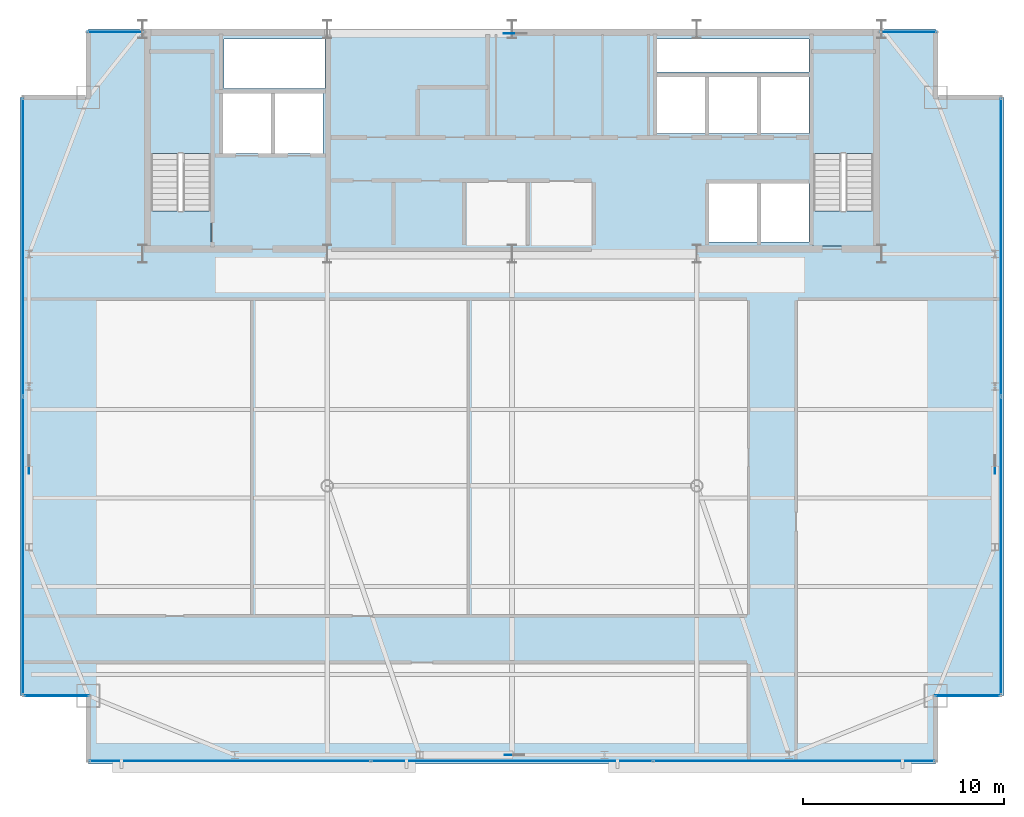
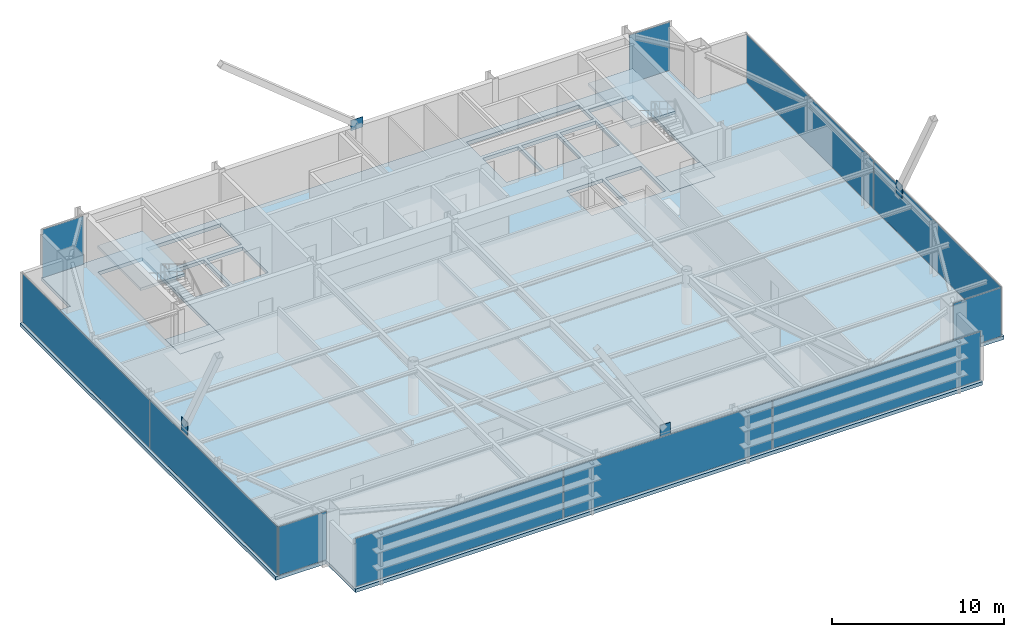
# One storey, part 21 of 27: 15 plates, 5 slabs, 9 elements without a shape of their own.
"""IFC4 building model written with IfcOpenShell, lengths in metres."""

from ifc_helpers import new_model, si_unit, direction, frame, origin, origin_2d, place, context, subcontext, project, spatial, polyline, rectangle, outline, extrude, source, transform, mapped, material, layer, layer_set, type_object, type_shapes, element, aggregate, save


model = new_model("IFC4")

# Units and contexts
model_context = context("Model", 3, precision=1e-05, world=origin(), true_north=direction((0.0, 1.0)))
body_context = subcontext(model_context, "Body", "Model", "MODEL_VIEW")
ifc_project = project(units=[si_unit("LENGTHUNIT", "METRE"), si_unit("AREAUNIT", "SQUARE_METRE"), si_unit("VOLUMEUNIT", "CUBIC_METRE"), si_unit("PLANEANGLEUNIT", "RADIAN"), si_unit("MASSUNIT", "GRAM", prefix="KILO")], contexts=[model_context])

# Site, building, storey
site_placement = place(None, origin())
site = spatial("IfcSite", under=ifc_project, at=site_placement, CompositionType="ELEMENT")
building_placement = place(site_placement, origin())
building = spatial("IfcBuilding", under=site, at=building_placement, Name="Varnel Quay Broadcast Tower", CompositionType="ELEMENT")
storey_placement = place(building_placement, frame((0.0, 0.0, 203.60009765625)))
storey = spatial("IfcBuildingStorey", under=building, at=storey_placement, Name="L50", CompositionType="ELEMENT", Elevation=203.60009765625)

# Slabs
ifc_material_1 = material(Name="Concrete CSA A23.3 C50/60", Category="concrete")
ifc_layer_1 = layer(ifc_material_1, 0.25, Name="Concrete CSA A23.3 C50/60")
ifc_layer_set_1 = layer_set([ifc_layer_1], Name="Concrete CSA A23.3 C50/60")
slab_type_1 = type_object("IfcSlabType", Name="Slab_Floor250", PredefinedType="FLOOR", material=ifc_layer_set_1)
slab_1_placement = place(storey_placement, frame((0.0, 0.0, -0.25)))
element("IfcSlab", 1, at=slab_1_placement, inside=storey, type_object=slab_type_1, Name="L50 Structural Slab", PredefinedType="FLOOR", context=body_context, shape_type="SweptSolid", body=[
    extrude(outline(polyline([(12.89990234375, 10.199951171875), (55.10009765625, 10.199951171875), (55.10009765625, 13.60009765625), (58.5, 13.60009765625), (58.5, 43.39990234375), (55.10009765625, 43.39990234375), (55.10009765625, 46.800048828125), (12.89990234375, 46.800048828125), (12.89990234375, 43.39990234375), (9.5, 43.39990234375), (9.5, 13.60009765625), (12.89990234375, 13.60009765625), (12.89990234375, 10.199951171875)]), holes=[polyline([(19.0, 36.0), (16.0, 36.0), (16.0, 45.60009765625), (19.0, 45.60009765625), (19.0, 36.0)]), polyline([(19.60009765625, 40.60009765625), (19.60009765625, 43.60009765625), (22.0, 43.60009765625), (22.0, 40.60009765625), (19.60009765625, 40.60009765625)]), polyline([(22.199951171875, 40.60009765625), (22.199951171875, 43.60009765625), (24.60009765625, 43.60009765625), (24.60009765625, 40.60009765625), (22.199951171875, 40.60009765625)]), polyline([(41.199951171875, 44.39990234375), (43.60009765625, 44.39990234375), (43.60009765625, 41.60009765625), (41.199951171875, 41.60009765625), (41.199951171875, 44.39990234375)]), polyline([(43.800048828125, 44.39990234375), (46.199951171875, 44.39990234375), (46.199951171875, 41.60009765625), (43.800048828125, 41.60009765625), (43.800048828125, 44.39990234375)]), polyline([(19.64990234375, 43.85009765625), (19.64990234375, 46.300048828125), (24.679931640625, 46.300048828125), (24.679931640625, 43.85009765625), (19.64990234375, 43.85009765625)]), polyline([(43.800048828125, 39.10009765625), (46.199951171875, 39.10009765625), (46.199951171875, 36.199951171875), (43.800048828125, 36.199951171875), (43.800048828125, 39.10009765625)]), polyline([(46.39990234375, 39.10009765625), (48.800048828125, 39.10009765625), (48.800048828125, 36.199951171875), (46.39990234375, 36.199951171875), (46.39990234375, 39.10009765625)]), polyline([(52.0, 36.0), (49.0, 36.0), (49.0, 45.60009765625), (52.0, 45.60009765625), (52.0, 36.0)]), polyline([(46.39990234375, 44.39990234375), (48.800048828125, 44.39990234375), (48.800048828125, 41.60009765625), (46.39990234375, 41.60009765625), (46.39990234375, 44.39990234375)]), polyline([(41.199951171875, 46.300048828125), (48.800048828125, 46.300048828125), (48.800048828125, 44.64990234375), (41.199951171875, 44.64990234375), (41.199951171875, 46.300048828125)])]), origin(), (0.0, 0.0, 1.0), 0.25),
])
ifc_layer_2 = layer(ifc_material_1, 0.25, Name="Concrete CSA A23.3 C50/60")
ifc_layer_set_2 = layer_set([ifc_layer_2], Name="Concrete CSA A23.3 C50/60")
slab_type_2 = type_object("IfcSlabType", Name="Slab_StairFloorLanding250", PredefinedType="FLOOR", material=ifc_layer_set_2)
slab_2_placement = place(storey_placement, frame((0.0, 0.0, -0.25)))
element("IfcSlab", 2, at=slab_2_placement, inside=storey, type_object=slab_type_2, Name="L50 ST-01 Structural Floor Landing Slab", PredefinedType="FLOOR", context=body_context, shape_type="SweptSolid", body=[
    extrude(outline(polyline([(19.0, 36.0), (19.0, 37.75), (16.0, 37.75), (16.0, 36.0), (19.0, 36.0)])), origin(), (0.0, 0.0, 1.0), 0.25),
])
slab_3_placement = place(storey_placement, frame((0.0, 0.0, -0.25)))
element("IfcSlab", 3, at=slab_3_placement, inside=storey, type_object=slab_type_2, Name="L50 ST-02 Structural Floor Landing Slab", PredefinedType="FLOOR", context=body_context, shape_type="SweptSolid", body=[
    extrude(outline(polyline([(52.0, 36.0), (52.0, 37.75), (49.0, 37.75), (49.0, 36.0), (52.0, 36.0)])), origin(), (0.0, 0.0, 1.0), 0.25),
])

# Stair, slab
ifc_material_2 = material(Name="Precast Structural Concrete C40/50", Category="concrete")
stair_type_1 = type_object("IfcStairType", Name="Stair_ST-01", PredefinedType="HALF_TURN_STAIR", material=ifc_material_2)
stair_1_placement = place(storey_placement, origin())
stair_1 = element("IfcStair", 4, at=stair_1_placement, inside=storey, type_object=stair_type_1, Name="L50 West Core Exit Stair 1", PredefinedType="HALF_TURN_STAIR")
ifc_layer_3 = layer(ifc_material_2, 0.199951171875, Name="Precast Structural Concrete C40/50")
ifc_layer_set_3 = layer_set([ifc_layer_3], Name="Precast Structural Concrete C40/50")
slab_type_3 = type_object("IfcSlabType", Name="Slab_StairLanding200", PredefinedType="LANDING", material=ifc_layer_set_3)
slab_4_placement = place(storey_placement, frame((0.0, 0.0, 1.699951171875)))
slab_4 = element("IfcSlab", 5, at=slab_4_placement, type_object=slab_type_3, Name="ST-01 landing 1", PredefinedType="LANDING", context=body_context, shape_type="SweptSolid", body=[
    extrude(outline(polyline([(19.0, 40.60009765625), (19.0, 45.60009765625), (16.0, 45.60009765625), (16.0, 40.60009765625), (19.0, 40.60009765625)])), origin(), (0.0, 0.0, 1.0), 0.199951171875),
])
aggregate(stair_1, [slab_4])

stair_type_2 = type_object("IfcStairType", Name="Stair_ST-02", PredefinedType="HALF_TURN_STAIR", material=ifc_material_2)
stair_2_placement = place(storey_placement, origin())
stair_2 = element("IfcStair", 6, at=stair_2_placement, inside=storey, type_object=stair_type_2, Name="L50 East Core Exit Stair 2", PredefinedType="HALF_TURN_STAIR")
slab_5_placement = place(storey_placement, frame((0.0, 0.0, 1.699951171875)))
slab_5 = element("IfcSlab", 7, at=slab_5_placement, type_object=slab_type_3, Name="ST-02 landing 1", PredefinedType="LANDING", context=body_context, shape_type="SweptSolid", body=[
    extrude(outline(polyline([(52.0, 40.60009765625), (52.0, 45.60009765625), (49.0, 45.60009765625), (49.0, 40.60009765625), (52.0, 40.60009765625)])), origin(), (0.0, 0.0, 1.0), 0.199951171875),
])
aggregate(stair_2, [slab_5])

# Plates
ifc_material_3 = material(Name="Structural Steel CSA G40.21 350WT", Category="steel")
ifc_layer_4 = layer(ifc_material_3, 0.0400390625, Name="Structural Steel CSA G40.21 350WT")
ifc_layer_set_4 = layer_set([ifc_layer_4], Name="Structural Steel CSA G40.21 350WT")
plate_type_1 = type_object("IfcPlateType", Name="Plate_MegaGusset", PredefinedType="USERDEFINED", material=ifc_layer_set_4)
shared_shape_1 = source(origin(), body_context, "Body", "SweptSolid", [
    extrude(rectangle(XDim=0.705078125, YDim=0.0400390625, at=origin_2d()), origin(), (0.0, 0.0, 1.0), 0.868896484375),
])
plate_1_placement = place(storey_placement, frame((34.0, 10.64990234375, 3.240234375), z_axis=(0.0, 0.0, 1.0), x_axis=(1.0, 0.0, 0.0)))
element("IfcPlate", 8, at=plate_1_placement, inside=storey, type_object=plate_type_1, Name="Zone 4 Mega-Brace S-C1T1 Central X-Crossing Gusset Plate", ObjectType="GUSSET_PLATE", PredefinedType="USERDEFINED", context=body_context, shape_type="MappedRepresentation", body=[
    mapped(shared_shape_1, transform((0.0, 0.0, 0.0), x_axis=(1.0, 0.0, 0.0), y_axis=(0.0, 1.0, 0.0), z_axis=(0.0, 0.0, 1.0), scale=1.0)),
])
shared_shape_2 = source(origin(), body_context, "Body", "SweptSolid", [
    extrude(rectangle(XDim=0.801025390625, YDim=0.0400390625, at=origin_2d()), origin(), (0.0, 0.0, 1.0), 0.73291015625),
])
plate_2_placement = place(storey_placement, frame((34.0, 46.580078125, 3.308349609375), z_axis=(0.0, 0.0, 1.0), x_axis=(1.0, 0.0, 0.0)))
element("IfcPlate", 9, at=plate_2_placement, inside=storey, type_object=plate_type_1, Name="Zone 4 Mega-Brace N-CT1 Central X-Crossing Gusset Plate", ObjectType="GUSSET_PLATE", PredefinedType="USERDEFINED", context=body_context, shape_type="MappedRepresentation", body=[
    mapped(shared_shape_2, transform((0.0, 0.0, 0.0), x_axis=(1.0, 0.0, 0.0), y_axis=(0.0, 1.0, 0.0), z_axis=(0.0, 0.0, 1.0), scale=1.0)),
])
shared_shape_3 = source(origin(), body_context, "Body", "SweptSolid", [
    extrude(rectangle(XDim=0.694091796875, YDim=0.0400390625, at=origin_2d()), origin(), (0.0, 0.0, 1.0), 0.9130859375),
])
type_shapes(plate_type_1, [shared_shape_1, shared_shape_2, shared_shape_3])
for number, where, z_axis, x_axis, name in (
    (10, (9.949951171875, 25.0, 3.21826171875), (0.0, 0.0, 1.0), (0.0, 1.0, 0.0), "Zone 4 Mega-Brace W-FT1 Central X-Crossing Gusset Plate"),
    (11, (58.050048828125, 25.0, 3.21826171875), (0.0, 0.0, 1.0), (0.0, 1.0, 0.0), "Zone 4 Mega-Brace E-FT1 Central X-Crossing Gusset Plate"),
):
    element("IfcPlate", number, at=place(storey_placement, frame(where, z_axis=z_axis, x_axis=x_axis)), inside=storey, type_object=plate_type_1, Name=name, ObjectType="GUSSET_PLATE", PredefinedType="USERDEFINED", context=body_context, shape_type="MappedRepresentation", body=[
        mapped(shared_shape_3, transform((0.0, 0.0, 0.0), x_axis=(1.0, 0.0, 0.0), y_axis=(0.0, 1.0, 0.0), z_axis=(0.0, 0.0, 1.0), scale=1.0)),
    ])

# Curtain wall, plate
ifc_material_4 = material(Name="Anodised Bronze Aluminium 6063-T6", Category="aluminium")
ifc_layer_5 = layer(ifc_material_4, 0.18994140625, Name="Anodised Bronze Aluminium 6063-T6")
ifc_layer_set_5 = layer_set([ifc_layer_5], Name="Anodised Bronze Aluminium 6063-T6")
curtain_wall_type_1 = type_object("IfcCurtainWallType", Name="CW_UpperTower", PredefinedType="NOTDEFINED", material=ifc_layer_set_5)
curtain_wall_1_placement = place(storey_placement, origin())
curtain_wall_1 = element("IfcCurtainWall", 12, at=curtain_wall_1_placement, inside=storey, type_object=curtain_wall_type_1, Name="L50 West Unitised Curtain Wall", PredefinedType="NOTDEFINED")
ifc_material_5 = material(Name="Insulated Bronze Spandrel Glass", Category="glass")
ifc_layer_6 = layer(ifc_material_5, 0.030029296875, Name="Insulated Bronze Spandrel Glass")
ifc_layer_set_6 = layer_set([ifc_layer_6], Name="Insulated Bronze Spandrel Glass")
plate_type_2 = type_object("IfcPlateType", Name="PanelSp_CWS-03", PredefinedType="CURTAIN_PANEL", material=ifc_layer_set_6)
shared_shape_4 = source(origin(), body_context, "Body", "SweptSolid", [
    extrude(rectangle(XDim=14.802490234375, YDim=0.030029296875, at=origin_2d()), origin(), (0.0, 0.0, 1.0), 3.429931640625),
])
plate_3_placement = place(storey_placement, frame((9.64990234375, 21.066162109375, 0.06005859375), z_axis=(0.0, 0.0, 1.0), x_axis=(0.0, 1.0, 0.0)))
plate_3 = element("IfcPlate", 13, at=plate_3_placement, type_object=plate_type_2, Name="CWS-03 panel 1.1", PredefinedType="CURTAIN_PANEL", context=body_context, shape_type="MappedRepresentation", body=[
    mapped(shared_shape_4, transform((0.0, 0.0, 0.0), x_axis=(1.0, 0.0, 0.0), y_axis=(0.0, 1.0, 0.0), z_axis=(0.0, 0.0, 1.0), scale=1.0)),
])

curtain_wall_2_placement = place(storey_placement, origin())
curtain_wall_2 = element("IfcCurtainWall", 14, at=curtain_wall_2_placement, inside=storey, type_object=curtain_wall_type_1, Name="L50 East Unitised Curtain Wall", PredefinedType="NOTDEFINED")
plate_4_placement = place(storey_placement, frame((58.35009765625, 21.066162109375, 0.06005859375), z_axis=(0.0, 0.0, 1.0), x_axis=(0.0, 1.0, 0.0)))
plate_4 = element("IfcPlate", 15, at=plate_4_placement, type_object=plate_type_2, Name="CWS-03 panel 1.1", PredefinedType="CURTAIN_PANEL", context=body_context, shape_type="MappedRepresentation", body=[
    mapped(shared_shape_4, transform((0.0, 0.0, 0.0), x_axis=(1.0, 0.0, 0.0), y_axis=(0.0, 1.0, 0.0), z_axis=(0.0, 0.0, 1.0), scale=1.0)),
])

ifc_layer_7 = layer(ifc_material_4, 0.18994140625, Name="Anodised Bronze Aluminium 6063-T6")
ifc_layer_set_7 = layer_set([ifc_layer_7], Name="Anodised Bronze Aluminium 6063-T6")
curtain_wall_type_2 = type_object("IfcCurtainWallType", Name="CW_NotchCorner", PredefinedType="NOTDEFINED", material=ifc_layer_set_7)
curtain_wall_3_placement = place(storey_placement, origin())
curtain_wall_3 = element("IfcCurtainWall", 16, at=curtain_wall_3_placement, inside=storey, type_object=curtain_wall_type_2, Name="L50 SW Notch Curtain Wall", PredefinedType="NOTDEFINED")
ifc_material_6 = material(Name="Triple-Glazed Bronze Low-E Architectural Glass", Category="glass")
ifc_layer_8 = layer(ifc_material_6, 0.028076171875, Name="Triple-Glazed Bronze Low-E Architectural Glass")
ifc_layer_set_8 = layer_set([ifc_layer_8], Name="Triple-Glazed Bronze Low-E Architectural Glass")
plate_type_3 = type_object("IfcPlateType", Name="Panel_CWS-04", PredefinedType="CURTAIN_PANEL", material=ifc_layer_set_8)
shared_shape_5 = source(origin(), body_context, "Body", "SweptSolid", [
    extrude(rectangle(XDim=3.2099609375, YDim=0.028076171875, at=origin_2d()), origin(), (0.0, 0.0, 1.0), 3.43994140625),
])
type_shapes(plate_type_3, [shared_shape_5])
plate_5_placement = place(storey_placement, frame((11.31494140625, 13.60009765625, 0.054931640625), z_axis=(0.0, 0.0, 1.0), x_axis=(1.0, 0.0, 0.0)))
plate_5 = element("IfcPlate", 17, at=plate_5_placement, type_object=plate_type_3, Name="CWS-04 panel 1.1", PredefinedType="CURTAIN_PANEL", context=body_context, shape_type="MappedRepresentation", body=[
    mapped(shared_shape_5, transform((0.0, 0.0, 0.0), x_axis=(1.0, 0.0, 0.0), y_axis=(0.0, 1.0, 0.0), z_axis=(0.0, 0.0, 1.0), scale=1.0)),
])
aggregate(curtain_wall_3, [plate_5])

curtain_wall_4_placement = place(storey_placement, origin())
curtain_wall_4 = element("IfcCurtainWall", 18, at=curtain_wall_4_placement, inside=storey, type_object=curtain_wall_type_2, Name="L50 SE Notch Curtain Wall", PredefinedType="NOTDEFINED")
plate_6_placement = place(storey_placement, frame((56.68505859375, 13.60009765625, 0.054931640625), z_axis=(0.0, 0.0, 1.0), x_axis=(1.0, 0.0, 0.0)))
plate_6 = element("IfcPlate", 19, at=plate_6_placement, type_object=plate_type_3, Name="CWS-04 panel 1.1", PredefinedType="CURTAIN_PANEL", context=body_context, shape_type="MappedRepresentation", body=[
    mapped(shared_shape_5, transform((0.0, 0.0, 0.0), x_axis=(1.0, 0.0, 0.0), y_axis=(0.0, 1.0, 0.0), z_axis=(0.0, 0.0, 1.0), scale=1.0)),
])
aggregate(curtain_wall_4, [plate_6])

curtain_wall_5_placement = place(storey_placement, origin())
curtain_wall_5 = element("IfcCurtainWall", 20, at=curtain_wall_5_placement, inside=storey, type_object=curtain_wall_type_1, Name="L50 NW Wing Curtain Wall", PredefinedType="NOTDEFINED")
ifc_layer_9 = layer(ifc_material_6, 0.030029296875, Name="Triple-Glazed Bronze Low-E Architectural Glass")
ifc_layer_set_9 = layer_set([ifc_layer_9], Name="Triple-Glazed Bronze Low-E Architectural Glass")
plate_type_4 = type_object("IfcPlateType", Name="Panel_CWS-03", PredefinedType="CURTAIN_PANEL", material=ifc_layer_set_9)
shared_shape_6 = source(origin(), body_context, "Body", "SweptSolid", [
    extrude(rectangle(XDim=2.75, YDim=0.030029296875, at=origin_2d()), origin(), (0.0, 0.0, 1.0), 3.429931640625),
])
plate_7_placement = place(storey_placement, frame((14.260009765625, 46.64990234375, 0.06005859375), z_axis=(0.0, 0.0, 1.0), x_axis=(1.0, 0.0, 0.0)))
plate_7 = element("IfcPlate", 21, at=plate_7_placement, type_object=plate_type_4, Name="CWS-03 panel 1.1", PredefinedType="CURTAIN_PANEL", context=body_context, shape_type="MappedRepresentation", body=[
    mapped(shared_shape_6, transform((0.0, 0.0, 0.0), x_axis=(1.0, 0.0, 0.0), y_axis=(0.0, 1.0, 0.0), z_axis=(0.0, 0.0, 1.0), scale=1.0)),
])
aggregate(curtain_wall_5, [plate_7])

curtain_wall_6_placement = place(storey_placement, origin())
curtain_wall_6 = element("IfcCurtainWall", 22, at=curtain_wall_6_placement, inside=storey, type_object=curtain_wall_type_1, Name="L50 NE Wing Curtain Wall", PredefinedType="NOTDEFINED")
plate_8_placement = place(storey_placement, frame((53.739990234375, 46.64990234375, 0.06005859375), z_axis=(0.0, 0.0, 1.0), x_axis=(1.0, 0.0, 0.0)))
plate_8 = element("IfcPlate", 23, at=plate_8_placement, type_object=plate_type_4, Name="CWS-03 panel 1.1", PredefinedType="CURTAIN_PANEL", context=body_context, shape_type="MappedRepresentation", body=[
    mapped(shared_shape_6, transform((0.0, 0.0, 0.0), x_axis=(1.0, 0.0, 0.0), y_axis=(0.0, 1.0, 0.0), z_axis=(0.0, 0.0, 1.0), scale=1.0)),
])
aggregate(curtain_wall_6, [plate_8])

# Curtain wall, plates
curtain_wall_7_placement = place(storey_placement, origin())
curtain_wall_7 = element("IfcCurtainWall", 24, at=curtain_wall_7_placement, inside=storey, type_object=curtain_wall_type_1, Name="L50 South Unitised Curtain Wall 1", PredefinedType="NOTDEFINED")
shared_shape_7 = source(origin(), body_context, "Body", "SweptSolid", [
    extrude(rectangle(XDim=13.96923828125, YDim=0.030029296875, at=origin_2d()), origin(), (0.0, 0.0, 1.0), 3.429931640625),
])
plate_9_placement = place(storey_placement, frame((19.949462890625, 10.35009765625, 0.06005859375), z_axis=(0.0, 0.0, 1.0), x_axis=(1.0, 0.0, 0.0)))
plate_9 = element("IfcPlate", 25, at=plate_9_placement, type_object=plate_type_4, Name="CWS-03 panel 1.1", PredefinedType="CURTAIN_PANEL", context=body_context, shape_type="MappedRepresentation", body=[
    mapped(shared_shape_7, transform((0.0, 0.0, 0.0), x_axis=(1.0, 0.0, 0.0), y_axis=(0.0, 1.0, 0.0), z_axis=(0.0, 0.0, 1.0), scale=1.0)),
])
plate_10_placement = place(storey_placement, frame((48.050537109375, 10.35009765625, 0.06005859375), z_axis=(0.0, 0.0, 1.0), x_axis=(1.0, 0.0, 0.0)))
plate_10 = element("IfcPlate", 26, at=plate_10_placement, type_object=plate_type_4, Name="CWS-03 panel 3.1", PredefinedType="CURTAIN_PANEL", context=body_context, shape_type="MappedRepresentation", body=[
    mapped(shared_shape_7, transform((0.0, 0.0, 0.0), x_axis=(1.0, 0.0, 0.0), y_axis=(0.0, 1.0, 0.0), z_axis=(0.0, 0.0, 1.0), scale=1.0)),
])
shared_shape_8 = source(origin(), body_context, "Body", "SweptSolid", [
    extrude(rectangle(XDim=14.001708984375, YDim=0.030029296875, at=origin_2d()), origin(), (0.0, 0.0, 1.0), 3.429931640625),
])
type_shapes(plate_type_2, [shared_shape_4, shared_shape_8])
plate_11_placement = place(storey_placement, frame((34.0, 10.35009765625, 0.06005859375), z_axis=(0.0, 0.0, 1.0), x_axis=(1.0, 0.0, 0.0)))
plate_11 = element("IfcPlate", 27, at=plate_11_placement, type_object=plate_type_2, Name="CWS-03 panel 2.1", PredefinedType="CURTAIN_PANEL", context=body_context, shape_type="MappedRepresentation", body=[
    mapped(shared_shape_8, transform((0.0, 0.0, 0.0), x_axis=(1.0, 0.0, 0.0), y_axis=(0.0, 1.0, 0.0), z_axis=(0.0, 0.0, 1.0), scale=1.0)),
])
aggregate(curtain_wall_7, [plate_9, plate_11, plate_10])

# Plate
shared_shape_9 = source(origin(), body_context, "Body", "SweptSolid", [
    extrude(rectangle(XDim=14.802490234375, YDim=0.030029296875, at=origin_2d()), origin(), (0.0, 0.0, 1.0), 3.429931640625),
])
type_shapes(plate_type_4, [shared_shape_6, shared_shape_7, shared_shape_9])
plate_12_placement = place(storey_placement, frame((9.64990234375, 35.933837890625, 0.06005859375), z_axis=(0.0, 0.0, 1.0), x_axis=(0.0, 1.0, 0.0)))
plate_12 = element("IfcPlate", 28, at=plate_12_placement, type_object=plate_type_4, Name="CWS-03 panel 2.1", PredefinedType="CURTAIN_PANEL", context=body_context, shape_type="MappedRepresentation", body=[
    mapped(shared_shape_9, transform((0.0, 0.0, 0.0), x_axis=(1.0, 0.0, 0.0), y_axis=(0.0, 1.0, 0.0), z_axis=(0.0, 0.0, 1.0), scale=1.0)),
])

aggregate(curtain_wall_1, [plate_3, plate_12])

plate_13_placement = place(storey_placement, frame((58.35009765625, 35.933837890625, 0.06005859375), z_axis=(0.0, 0.0, 1.0), x_axis=(0.0, 1.0, 0.0)))
plate_13 = element("IfcPlate", 29, at=plate_13_placement, type_object=plate_type_4, Name="CWS-03 panel 2.1", PredefinedType="CURTAIN_PANEL", context=body_context, shape_type="MappedRepresentation", body=[
    mapped(shared_shape_9, transform((0.0, 0.0, 0.0), x_axis=(1.0, 0.0, 0.0), y_axis=(0.0, 1.0, 0.0), z_axis=(0.0, 0.0, 1.0), scale=1.0)),
])

aggregate(curtain_wall_2, [plate_4, plate_13])

save(model, "model.ifc")
